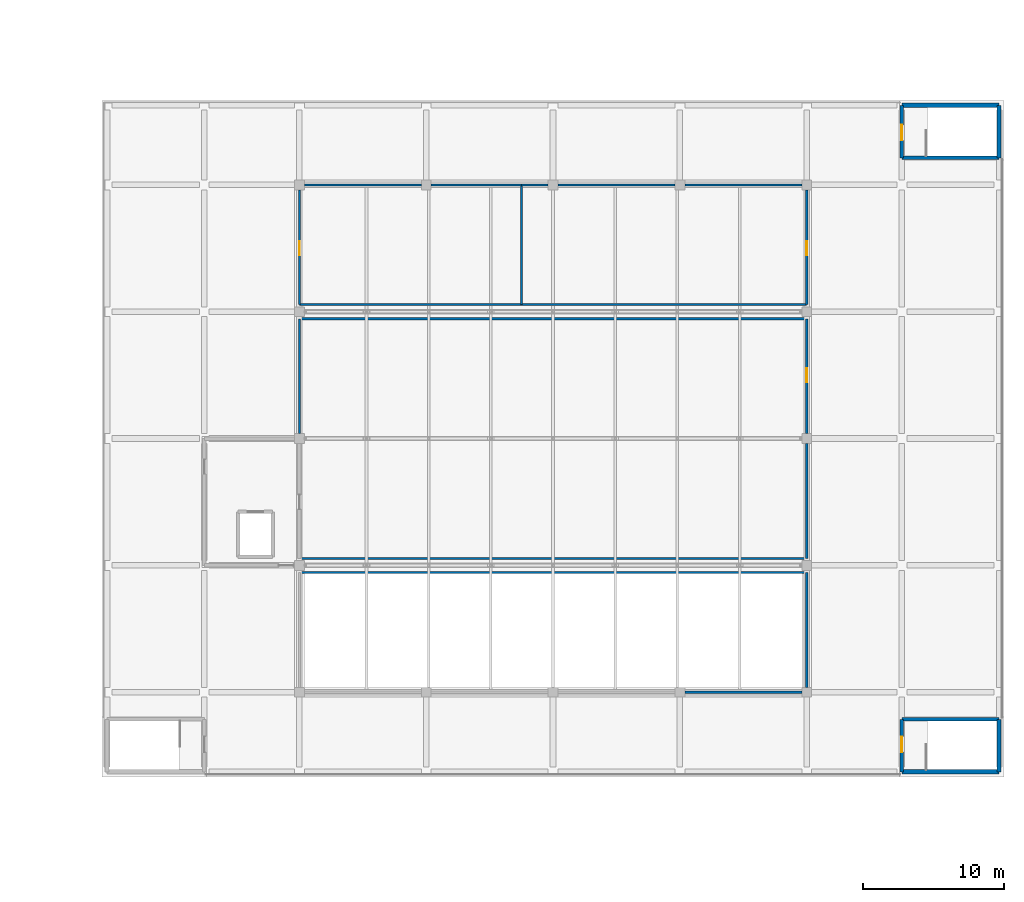
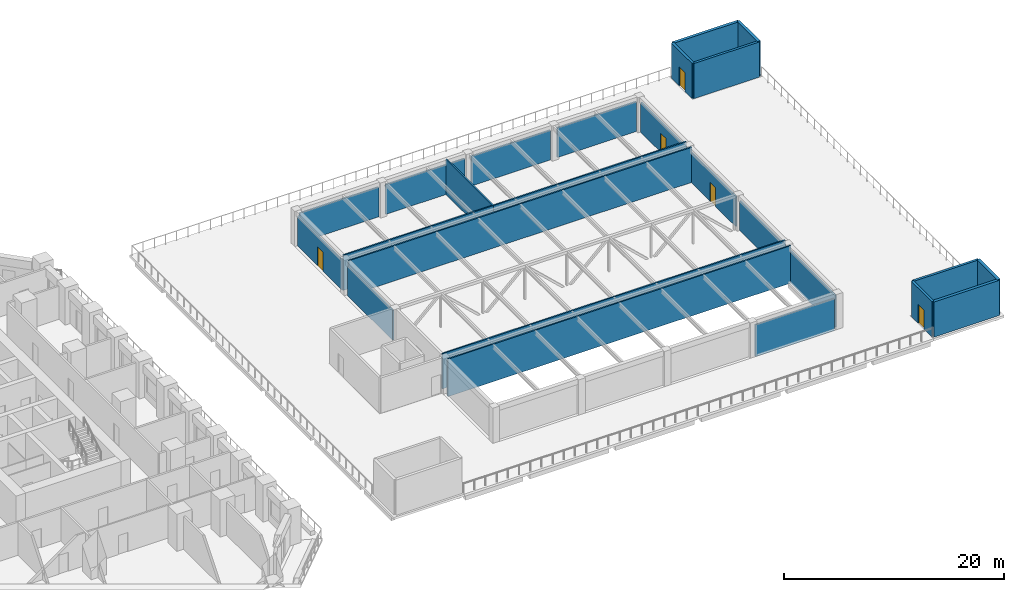
# One storey, part 25 of 30: 26 walls, 5 doors, 5 openings.
"""IFC4 building model written with IfcOpenShell, lengths in metres."""

import ifcopenshell
import ifcopenshell.guid

model = None  # the IFC model being written
_history = None  # IfcOwnerHistory: only IFC2X3 demands one
_inside = {}  # id of a spatial element -> (the spatial element, [elements in it])
_under = {}  # id of a project, library or spatial element -> (it, [spatial elements below it])
_declared = {}  # id of a project -> (the project, [libraries it declares])
_typed = {}  # id of a type object -> (the type object, [elements of that type])
_made_of = {}  # id of a material, layer set ... -> (it, [elements and type objects made of it])


def new_model(schema):
    """Start an empty IFC model of exactly this schema.

    Asked for "IFC4X3", IfcOpenShell would pick the latest addendum, in which some entities
    have other attributes; the version numbers below select the first issue.
    IFC2X3 requires an IfcOwnerHistory on every rooted entity: one is made here for all.
    """
    global model, _history
    if schema == "IFC4X3":
        model = ifcopenshell.file(schema_version=(4, 3, 0, 0))
    else:
        model = ifcopenshell.file(schema=schema)
    _inside.clear()
    _under.clear()
    _declared.clear()
    _typed.clear()
    _made_of.clear()
    _history = None
    if model.schema == "IFC2X3":
        org = make("IfcOrganization", Name="unknown")
        user = make(
            "IfcPersonAndOrganization",
            ThePerson=make("IfcPerson", FamilyName="unknown"),
            TheOrganization=org,
        )
        app = make(
            "IfcApplication",
            ApplicationDeveloper=org,
            Version="unknown",
            ApplicationFullName="unknown",
            ApplicationIdentifier="unknown",
        )
        _history = make(
            "IfcOwnerHistory",
            OwningUser=user,
            OwningApplication=app,
            ChangeAction="ADDED",
            CreationDate=0,
        )
    return model


def make(cls, **values):
    """One entity of the class cls with the attributes given. An attribute that is None is left unset."""
    return model.create_entity(
        cls, **{name: value for name, value in values.items() if value is not None}
    )


def rooted(cls, **values):
    """An entity with a GlobalId (a new one), such as an element, a storey or a relation."""
    return make(cls, GlobalId=ifcopenshell.guid.new(), OwnerHistory=_history, **values)


def si_unit(unit_type, name, prefix=None):
    """IfcSIUnit, for example si_unit("LENGTHUNIT", "METRE", prefix="MILLI")."""
    return make("IfcSIUnit", UnitType=unit_type, Prefix=prefix, Name=name)


def assignment(units):
    """IfcUnitAssignment: the units of a project."""
    return None if units is None else make("IfcUnitAssignment", Units=units)


def point(xyz):
    """IfcCartesianPoint."""
    return None if xyz is None else make("IfcCartesianPoint", Coordinates=xyz)


def direction(xyz):
    """IfcDirection."""
    return None if xyz is None else make("IfcDirection", DirectionRatios=xyz)


def frame(location, z_axis=None, x_axis=None):
    """IfcAxis2Placement3D, a coordinate frame: its origin and axes. An axis left out is left unset."""
    return make(
        "IfcAxis2Placement3D",
        Location=point(location),
        Axis=direction(z_axis),
        RefDirection=direction(x_axis),
    )


def frame_2d(location, x_axis=None):
    """IfcAxis2Placement2D, a coordinate frame in the plane: its origin and x axis."""
    return make(
        "IfcAxis2Placement2D", Location=point(location), RefDirection=direction(x_axis)
    )


def origin():
    """The frame at (0, 0, 0) with its axes left unset."""
    return frame((0.0, 0.0, 0.0))


def place(relative_to, where):
    """IfcLocalPlacement: puts the frame where relative to a parent placement (None: the world)."""
    return make(
        "IfcLocalPlacement", PlacementRelTo=relative_to, RelativePlacement=where
    )


def context(
    kind, dimensions, precision=None, world=None, true_north=None, identifier=None
):
    """IfcGeometricRepresentationContext, for example the 3D "Model" context."""
    return make(
        "IfcGeometricRepresentationContext",
        ContextIdentifier=identifier,
        ContextType=kind,
        CoordinateSpaceDimension=dimensions,
        Precision=precision,
        WorldCoordinateSystem=world,
        TrueNorth=true_north,
    )


def subcontext(parent, identifier, kind, view, scale=None):
    """IfcGeometricRepresentationSubContext, for example "Body" below "Model"."""
    return make(
        "IfcGeometricRepresentationSubContext",
        ContextIdentifier=identifier,
        ContextType=kind,
        ParentContext=parent,
        TargetScale=scale,
        TargetView=view,
    )


def project(units=None, contexts=None):
    """IfcProject with its units and contexts."""
    return rooted(
        "IfcProject",
        Name="project",
        RepresentationContexts=contexts,
        UnitsInContext=assignment(units),
    )


def spatial(cls, under=None, at=None, **own):
    """A site, building, storey or space (cls), placed at a placement, below another one or the project."""
    s = rooted(cls, ObjectPlacement=at, **own)
    if under is not None:
        _under.setdefault(under.id(), (under, []))[1].append(s)
    return s


def profile(cls, at=None, kind="AREA", **sizes):
    """A parametric profile (cls). Its sizes go by their IFC names, for example OverallWidth=200.0."""
    return make(cls, ProfileType=kind, Position=at, **sizes)


def rectangle(**sizes):
    """IfcRectangleProfileDef."""
    return profile("IfcRectangleProfileDef", **sizes)


def extrude(swept, where, along, depth):
    """IfcExtrudedAreaSolid: the profile swept, set in the frame where, extruded along a direction by depth."""
    return make(
        "IfcExtrudedAreaSolid",
        SweptArea=swept,
        Position=where,
        ExtrudedDirection=direction(along),
        Depth=depth,
    )


def shape(context_of_items, identifier, shape_type, items):
    """IfcShapeRepresentation: the items that make up one representation, for example the "Body"."""
    return make(
        "IfcShapeRepresentation",
        ContextOfItems=context_of_items,
        RepresentationIdentifier=identifier,
        RepresentationType=shape_type,
        Items=items,
    )


def material(Name=None, Category=None):
    """IfcMaterial."""
    return make("IfcMaterial", Name=Name, Category=Category)


def layer(
    of_material, thickness, ventilated=None, Name=None, Category=None, Priority=None
):
    """IfcMaterialLayer: one layer of a wall or slab, of a material (None: an air gap)."""
    return make(
        "IfcMaterialLayer",
        Material=of_material,
        LayerThickness=thickness,
        IsVentilated=ventilated,
        Name=Name,
        Category=Category,
        Priority=Priority,
    )


def layer_set(layers, Name=None):
    """IfcMaterialLayerSet."""
    return make("IfcMaterialLayerSet", MaterialLayers=layers, LayerSetName=Name)


def made_of(thing, what):
    """Note that an element or type object is made of a material, layer set ...; save() writes the relation."""
    if what is not None:
        _made_of.setdefault(what.id(), (what, []))[1].append(thing)
    return thing


def type_object(cls, material=None, **own):
    """A type object (cls), such as IfcWallType, which elements share."""
    return made_of(rooted(cls, **own), material)


def element(
    cls,
    number,
    at=None,
    inside=None,
    cuts=None,
    type_object=None,
    material=None,
    context=None,
    identifier="Body",
    shape_type=None,
    held_by="IfcProductDefinitionShape",
    body=None,
    shapes=None,
    **own,
):
    """One element of the class cls, such as IfcWall. Its Tag is "e" and its number.

    at: its placement. inside: the storey or other place that contains it. cuts: it is an
    opening in that element (IfcRelVoidsElement). A single representation is given by context,
    identifier, shape_type and body (its items); several are given by shapes. held_by: the class
    of the entity that holds the representations. save() writes the other relations.
    """
    e = rooted(cls, Tag="e%d" % number, ObjectPlacement=at, **own)
    if body is not None:
        shapes = [shape(context, identifier, shape_type, body)]
    if shapes is not None:
        e.Representation = make(held_by, Representations=shapes)
    if inside is not None:
        _inside.setdefault(inside.id(), (inside, []))[1].append(e)
    if cuts is not None:
        rooted(
            "IfcRelVoidsElement", RelatingBuildingElement=cuts, RelatedOpeningElement=e
        )
    if type_object is not None:
        _typed.setdefault(type_object.id(), (type_object, []))[1].append(e)
    return made_of(e, material)


def fill(opening, filler):
    """IfcRelFillsElement: the door or window that sits in an opening."""
    return rooted(
        "IfcRelFillsElement",
        RelatingOpeningElement=opening,
        RelatedBuildingElement=filler,
    )


def aggregate(whole, parts):
    """IfcRelAggregates: a whole, such as a stair, and the parts it consists of."""
    return rooted("IfcRelAggregates", RelatingObject=whole, RelatedObjects=parts)


def save(model, path):
    """Write the relations noted so far, then the file.

    IfcRelAggregates (storeys below a building ...), IfcRelContainedInSpatialStructure (elements
    in a storey), IfcRelDefinesByType, IfcRelAssociatesMaterial and IfcRelDeclares: one each for
    every whole, place, type object, material and project.
    """
    for whole, parts in _under.values():
        aggregate(whole, parts)
    for where, things in _inside.values():
        rooted(
            "IfcRelContainedInSpatialStructure",
            RelatedElements=things,
            RelatingStructure=where,
        )
    for kind, things in _typed.values():
        rooted("IfcRelDefinesByType", RelatedObjects=things, RelatingType=kind)
    for what, things in _made_of.values():
        rooted("IfcRelAssociatesMaterial", RelatedObjects=things, RelatingMaterial=what)
    for by, libraries in _declared.values():
        rooted("IfcRelDeclares", RelatingContext=by, RelatedDefinitions=libraries)
    model.write(path)


model = new_model("IFC4")

# Units and contexts
model_context = context("Model", 3, precision=1e-05, world=origin(), true_north=direction((0.0, 1.0)))
body_context = subcontext(model_context, "Body", "Model", "MODEL_VIEW")
ifc_project = project(units=[si_unit("LENGTHUNIT", "METRE"), si_unit("AREAUNIT", "SQUARE_METRE"), si_unit("VOLUMEUNIT", "CUBIC_METRE"), si_unit("PLANEANGLEUNIT", "RADIAN"), si_unit("MASSUNIT", "GRAM", prefix="KILO")], contexts=[model_context])

# Site, building, storey
site_placement = place(None, origin())
site = spatial("IfcSite", under=ifc_project, at=site_placement, CompositionType="ELEMENT")
building_placement = place(site_placement, origin())
building = spatial("IfcBuilding", under=site, at=building_placement, Name="Corbel Stack Research Tower", CompositionType="ELEMENT")
storey_placement = place(building_placement, frame((0.0, 0.0, 19.5)))
storey = spatial("IfcBuildingStorey", under=building, at=storey_placement, Name="L04", CompositionType="ELEMENT", Elevation=19.5)

# Walls
ifc_material_1 = material(Name="Concrete C40/50", Category="concrete")
ifc_layer_1 = layer(ifc_material_1, 0.25)
ifc_layer_set_1 = layer_set([ifc_layer_1], Name="Concrete C40/50")
wall_type_1 = type_object("IfcWallType", Name="HW2 core wall C40/50 250", PredefinedType="SHEAR", material=ifc_layer_set_1)
for number, where, z_axis, x_axis, name in (
    (1, (93.699951171875, -19.925048828125, 0.0), (0.0, 0.0, 1.0), (1.0, 0.0, 0.0), "Wall L04 h-19.93/93.7"),
    (2, (93.699951171875, 19.925048828125, 0.0), (0.0, 0.0, 1.0), (1.0, 0.0, 0.0), "Wall L04 h19.93/93.7"),
):
    element("IfcWall", number, at=place(storey_placement, frame(where, z_axis=z_axis, x_axis=x_axis)), inside=storey, type_object=wall_type_1, Name=name, PredefinedType="SHEAR", context=body_context, shape_type="SweptSolid", body=[
        extrude(rectangle(XDim=6.900146484375, YDim=0.25, at=frame_2d((3.4501953125, 0.0))), origin(), (0.0, 0.0, 1.0), 3.89990234375),
    ])

# Wall, opening, door
wall_1_placement = place(storey_placement, frame((93.699951171875, -23.64990234375, 0.0), z_axis=(0.0, 0.0, 1.0), x_axis=(0.0, 1.0, 0.0)))
wall_1 = element("IfcWall", 3, at=wall_1_placement, inside=storey, type_object=wall_type_1, Name="Wall L04 v93.70/-23.6", PredefinedType="SHEAR", context=body_context, shape_type="SweptSolid", body=[
    extrude(rectangle(XDim=3.724853515625, YDim=0.25, at=frame_2d((1.8623046875, 0.0))), origin(), (0.0, 0.0, 1.0), 3.89990234375),
])
opening_1_placement = place(wall_1_placement, frame((1.39990234375, 0.0, 0.0)))
opening_1 = element("IfcOpeningElement", 4, at=opening_1_placement, cuts=wall_1, Name="Opening H4-09", PredefinedType="OPENING", context=body_context, shape_type="SweptSolid", body=[
    extrude(rectangle(XDim=1.10009765625, YDim=2.10009765625, at=frame_2d((0.550048828125, 1.050048828125))), frame((0.0, 0.135009765625, 0.0), z_axis=(0.0, -1.0, 0.0), x_axis=(1.0, 0.0, 0.0)), (0.0, 0.0, 1.0), 0.27001953125),
])
ifc_material_2 = material(Name="Steel", Category="steel")
door_type_1 = type_object("IfcDoorType", Name="HD4 fire door 1100 x 2100", OperationType="NOTDEFINED", PredefinedType="DOOR", material=ifc_material_2)
door_1_placement = place(opening_1_placement, origin())
door_1 = element("IfcDoor", 5, at=door_1_placement, inside=storey, type_object=door_type_1, Name="Door H4-09", OperationType="SINGLE_SWING_RIGHT", OverallHeight=2.10009765625, OverallWidth=1.10009765625, PredefinedType="DOOR", context=body_context, shape_type="SweptSolid", body=[
    extrude(rectangle(XDim=1.10009765625, YDim=2.10009765625, at=frame_2d((0.550048828125, 1.050048828125))), frame((0.0, 0.02490234375, 0.0), z_axis=(0.0, -1.0, 0.0), x_axis=(1.0, 0.0, 0.0)), (0.0, 0.0, 1.0), 0.050048828125),
])
fill(opening_1, door_1)

wall_2_placement = place(storey_placement, frame((93.699951171875, 19.925048828125, 0.0), z_axis=(0.0, 0.0, 1.0), x_axis=(0.0, 1.0, 0.0)))
wall_2 = element("IfcWall", 6, at=wall_2_placement, inside=storey, type_object=wall_type_1, Name="Wall L04 v93.70/19.9", PredefinedType="SHEAR", context=body_context, shape_type="SweptSolid", body=[
    extrude(rectangle(XDim=3.724853515625, YDim=0.25, at=frame_2d((1.8623046875, 0.0))), origin(), (0.0, 0.0, 1.0), 3.89990234375),
])
opening_2_placement = place(wall_2_placement, frame((1.22509765625, 0.0, 0.0)))
opening_2 = element("IfcOpeningElement", 7, at=opening_2_placement, cuts=wall_2, Name="Opening H4-10", PredefinedType="OPENING", context=body_context, shape_type="SweptSolid", body=[
    extrude(rectangle(XDim=1.10009765625, YDim=2.10009765625, at=frame_2d((0.550048828125, 1.050048828125))), frame((0.0, 0.135009765625, 0.0), z_axis=(0.0, -1.0, 0.0), x_axis=(1.0, 0.0, 0.0)), (0.0, 0.0, 1.0), 0.27001953125),
])
door_2_placement = place(opening_2_placement, origin())
door_2 = element("IfcDoor", 8, at=door_2_placement, inside=storey, type_object=door_type_1, Name="Door H4-10", OperationType="SINGLE_SWING_LEFT", OverallHeight=2.10009765625, OverallWidth=1.10009765625, PredefinedType="DOOR", context=body_context, shape_type="SweptSolid", body=[
    extrude(rectangle(XDim=1.10009765625, YDim=2.10009765625, at=frame_2d((0.550048828125, 1.050048828125))), frame((0.0, 0.02490234375, 0.0), z_axis=(0.0, -1.0, 0.0), x_axis=(1.0, 0.0, 0.0)), (0.0, 0.0, 1.0), 0.050048828125),
])
fill(opening_2, door_2)

# Walls
ifc_material_3 = material(Name="Concrete masonry unit", Category="masonry")
ifc_layer_2 = layer(ifc_material_3, 0.14990234375)
ifc_layer_set_2 = layer_set([ifc_layer_2], Name="Concrete masonry unit")
wall_type_2 = type_object("IfcWallType", Name="HW3 partition 150", PredefinedType="PARTITIONING", material=ifc_layer_set_2)
wall_3_placement = place(storey_placement, frame((78.300048828125, -18.0, -0.25), z_axis=(0.0, 0.0, 1.0), x_axis=(1.0, 0.0, 0.0)))
element("IfcWall", 9, at=wall_3_placement, inside=storey, type_object=wall_type_2, Name="Wall L04 h-18.00/78.3", PredefinedType="PARTITIONING", context=body_context, shape_type="SweptSolid", body=[
    extrude(rectangle(XDim=8.300048828125, YDim=0.14990234375, at=frame_2d((4.14990234375, 0.0))), origin(), (0.0, 0.0, 1.0), 3.550048828125),
])
wall_4_placement = place(storey_placement, frame((50.949951171875, -9.5, -0.25), z_axis=(0.0, 0.0, 1.0), x_axis=(1.0, 0.0, 0.0)))
element("IfcWall", 10, at=wall_4_placement, inside=storey, type_object=wall_type_2, Name="Wall L04 h-9.50/51.0", PredefinedType="PARTITIONING", context=body_context, shape_type="SweptSolid", body=[
    extrude(rectangle(XDim=36.0, YDim=0.14990234375, at=frame_2d((18.0, 0.0))), origin(), (0.0, 0.0, 1.0), 4.14990234375),
])
for number, where, z_axis, x_axis, name in (
    (11, (50.949951171875, -8.5, 0.0), (0.0, 0.0, 1.0), (1.0, 0.0, 0.0), "Wall L04 h-8.50/51.0"),
    (12, (50.949951171875, 8.5, 0.0), (0.0, 0.0, 1.0), (1.0, 0.0, 0.0), "Wall L04 h8.50/51.0"),
):
    element("IfcWall", number, at=place(storey_placement, frame(where, z_axis=z_axis, x_axis=x_axis)), inside=storey, type_object=wall_type_2, Name=name, PredefinedType="PARTITIONING", context=body_context, shape_type="SweptSolid", body=[
        extrude(rectangle(XDim=36.0, YDim=0.14990234375, at=frame_2d((18.0, 0.0))), origin(), (0.0, 0.0, 1.0), 3.89990234375),
    ])
wall_5_placement = place(storey_placement, frame((50.949951171875, 9.5, 0.0), z_axis=(0.0, 0.0, 1.0), x_axis=(1.0, 0.0, 0.0)))
element("IfcWall", 13, at=wall_5_placement, inside=storey, type_object=wall_type_2, Name="Wall L04 h9.50/51.0", PredefinedType="PARTITIONING", context=body_context, shape_type="SweptSolid", body=[
    extrude(rectangle(XDim=15.75, YDim=0.14990234375, at=frame_2d((7.875, 0.0))), origin(), (0.0, 0.0, 1.0), 3.89990234375),
])
wall_6_placement = place(storey_placement, frame((66.699951171875, 9.5, 0.0), z_axis=(0.0, 0.0, 1.0), x_axis=(1.0, 0.0, 0.0)))
element("IfcWall", 14, at=wall_6_placement, inside=storey, type_object=wall_type_2, Name="Wall L04 h9.50/66.7", PredefinedType="PARTITIONING", context=body_context, shape_type="SweptSolid", body=[
    extrude(rectangle(XDim=20.25, YDim=0.14990234375, at=frame_2d((10.125, 0.0))), origin(), (0.0, 0.0, 1.0), 3.89990234375),
])
wall_7_placement = place(storey_placement, frame((51.300048828125, 18.0, 0.0), z_axis=(0.0, 0.0, 1.0), x_axis=(1.0, 0.0, 0.0)))
element("IfcWall", 15, at=wall_7_placement, inside=storey, type_object=wall_type_2, Name="Wall L04 h18.00/51.3", PredefinedType="PARTITIONING", context=body_context, shape_type="SweptSolid", body=[
    extrude(rectangle(XDim=8.300048828125, YDim=0.14990234375, at=frame_2d((4.14990234375, 0.0))), origin(), (0.0, 0.0, 1.0), 3.300048828125),
])
wall_8_placement = place(storey_placement, frame((60.300048828125, 18.0, 0.0), z_axis=(0.0, 0.0, 1.0), x_axis=(1.0, 0.0, 0.0)))
element("IfcWall", 16, at=wall_8_placement, inside=storey, type_object=wall_type_2, Name="Wall L04 h18.00/60.3", PredefinedType="PARTITIONING", context=body_context, shape_type="SweptSolid", body=[
    extrude(rectangle(XDim=6.39990234375, YDim=0.14990234375, at=frame_2d((3.199951171875, 0.0))), origin(), (0.0, 0.0, 1.0), 3.300048828125),
])
wall_9_placement = place(storey_placement, frame((66.699951171875, 18.0, 0.0), z_axis=(0.0, 0.0, 1.0), x_axis=(1.0, 0.0, 0.0)))
element("IfcWall", 17, at=wall_9_placement, inside=storey, type_object=wall_type_2, Name="Wall L04 h18.00/66.7", PredefinedType="PARTITIONING", context=body_context, shape_type="SweptSolid", body=[
    extrude(rectangle(XDim=1.900146484375, YDim=0.14990234375, at=frame_2d((0.9501953125, 0.0))), origin(), (0.0, 0.0, 1.0), 3.300048828125),
])
for number, where, z_axis, x_axis, name in (
    (18, (69.300048828125, 18.0, 0.0), (0.0, 0.0, 1.0), (1.0, 0.0, 0.0), "Wall L04 h18.00/69.3"),
    (19, (78.300048828125, 18.0, 0.0), (0.0, 0.0, 1.0), (1.0, 0.0, 0.0), "Wall L04 h18.00/78.3"),
):
    element("IfcWall", number, at=place(storey_placement, frame(where, z_axis=z_axis, x_axis=x_axis)), inside=storey, type_object=wall_type_2, Name=name, PredefinedType="PARTITIONING", context=body_context, shape_type="SweptSolid", body=[
        extrude(rectangle(XDim=8.300048828125, YDim=0.14990234375, at=frame_2d((4.14990234375, 0.0))), origin(), (0.0, 0.0, 1.0), 3.300048828125),
    ])
wall_10_placement = place(storey_placement, frame((50.949951171875, 0.35009765625, 0.0), z_axis=(0.0, 0.0, 1.0), x_axis=(0.0, 1.0, 0.0)))
element("IfcWall", 20, at=wall_10_placement, inside=storey, type_object=wall_type_2, Name="Wall L04 v50.95/0.3", PredefinedType="PARTITIONING", context=body_context, shape_type="SweptSolid", body=[
    extrude(rectangle(XDim=8.14990234375, YDim=0.14990234375, at=frame_2d((4.074951171875, 0.0))), origin(), (0.0, 0.0, 1.0), 3.300048828125),
])

# Wall, opening, door
wall_11_placement = place(storey_placement, frame((50.949951171875, 9.5, 0.0), z_axis=(0.0, 0.0, 1.0), x_axis=(0.0, 1.0, 0.0)))
wall_11 = element("IfcWall", 21, at=wall_11_placement, inside=storey, type_object=wall_type_2, Name="Wall L04 v50.95/9.5", PredefinedType="PARTITIONING", context=body_context, shape_type="SweptSolid", body=[
    extrude(rectangle(XDim=8.14990234375, YDim=0.14990234375, at=frame_2d((4.074951171875, 0.0))), origin(), (0.0, 0.0, 1.0), 3.300048828125),
])
opening_3_placement = place(wall_11_placement, frame((3.5, 0.0, 0.0)))
opening_3 = element("IfcOpeningElement", 22, at=opening_3_placement, cuts=wall_11, Name="Opening H4-06", PredefinedType="OPENING", context=body_context, shape_type="SweptSolid", body=[
    extrude(rectangle(XDim=1.0, YDim=2.10009765625, at=frame_2d((0.5, 1.050048828125))), frame((0.0, 0.0849609375, 0.0), z_axis=(0.0, -1.0, 0.0), x_axis=(1.0, 0.0, 0.0)), (0.0, 0.0, 1.0), 0.169921875),
])
ifc_material_4 = material(Name="Timber", Category="wood")
door_type_2 = type_object("IfcDoorType", Name="HD1 single door 1000 x 2100", OperationType="NOTDEFINED", PredefinedType="DOOR", material=ifc_material_4)
door_3_placement = place(opening_3_placement, origin())
door_3 = element("IfcDoor", 23, at=door_3_placement, inside=storey, type_object=door_type_2, Name="Door H4-06", OperationType="SINGLE_SWING_LEFT", OverallHeight=2.10009765625, OverallWidth=1.0, PredefinedType="DOOR", context=body_context, shape_type="SweptSolid", body=[
    extrude(rectangle(XDim=1.0, YDim=2.10009765625, at=frame_2d((0.5, 1.050048828125))), frame((0.0, 0.02490234375, 0.0), z_axis=(0.0, -1.0, 0.0), x_axis=(1.0, 0.0, 0.0)), (0.0, 0.0, 1.0), 0.050048828125),
])
fill(opening_3, door_3)

# Walls
wall_12_placement = place(storey_placement, frame((66.699951171875, 9.5, 0.0), z_axis=(0.0, 0.0, 1.0), x_axis=(0.0, 1.0, 0.0)))
element("IfcWall", 24, at=wall_12_placement, inside=storey, type_object=wall_type_2, Name="Wall L04 v66.70/9.5", PredefinedType="PARTITIONING", context=body_context, shape_type="SweptSolid", body=[
    extrude(rectangle(XDim=8.5, YDim=0.14990234375, at=frame_2d((4.25, 0.0))), origin(), (0.0, 0.0, 1.0), 3.89990234375),
])
wall_13_placement = place(storey_placement, frame((86.949951171875, -17.64990234375, -0.25), z_axis=(0.0, 0.0, 1.0), x_axis=(0.0, 1.0, 0.0)))
element("IfcWall", 25, at=wall_13_placement, inside=storey, type_object=wall_type_2, Name="Wall L04 v86.95/-17.6", PredefinedType="PARTITIONING", context=body_context, shape_type="SweptSolid", body=[
    extrude(rectangle(XDim=8.14990234375, YDim=0.14990234375, at=frame_2d((4.074951171875, 0.0))), origin(), (0.0, 0.0, 1.0), 3.550048828125),
])
wall_14_placement = place(storey_placement, frame((86.949951171875, -8.5, 0.0), z_axis=(0.0, 0.0, 1.0), x_axis=(0.0, 1.0, 0.0)))
element("IfcWall", 26, at=wall_14_placement, inside=storey, type_object=wall_type_2, Name="Wall L04 v86.95/-8.5", PredefinedType="PARTITIONING", context=body_context, shape_type="SweptSolid", body=[
    extrude(rectangle(XDim=8.14990234375, YDim=0.14990234375, at=frame_2d((4.074951171875, 0.0))), origin(), (0.0, 0.0, 1.0), 3.300048828125),
])

# Wall, opening, door
wall_15_placement = place(storey_placement, frame((86.949951171875, 8.5, 0.0), z_axis=(0.0, 0.0, 1.0), x_axis=(0.0, -1.0, 0.0)))
wall_15 = element("IfcWall", 27, at=wall_15_placement, inside=storey, type_object=wall_type_2, Name="Wall L04 v86.95/0.3", PredefinedType="PARTITIONING", context=body_context, shape_type="SweptSolid", body=[
    extrude(rectangle(XDim=8.14990234375, YDim=0.14990234375, at=frame_2d((4.074951171875, 0.0))), origin(), (0.0, 0.0, 1.0), 3.300048828125),
])
opening_4_placement = place(wall_15_placement, frame((3.5, 0.0, 0.0)))
opening_4 = element("IfcOpeningElement", 28, at=opening_4_placement, cuts=wall_15, Name="Opening H4-07", PredefinedType="OPENING", context=body_context, shape_type="SweptSolid", body=[
    extrude(rectangle(XDim=1.0, YDim=2.10009765625, at=frame_2d((0.5, 1.050048828125))), frame((0.0, 0.0849609375, 0.0), z_axis=(0.0, -1.0, 0.0), x_axis=(1.0, 0.0, 0.0)), (0.0, 0.0, 1.0), 0.169921875),
])
door_4_placement = place(opening_4_placement, origin())
door_4 = element("IfcDoor", 29, at=door_4_placement, inside=storey, type_object=door_type_2, Name="Door H4-07", OperationType="SINGLE_SWING_RIGHT", OverallHeight=2.10009765625, OverallWidth=1.0, PredefinedType="DOOR", context=body_context, shape_type="SweptSolid", body=[
    extrude(rectangle(XDim=1.0, YDim=2.10009765625, at=frame_2d((0.5, 1.050048828125))), frame((0.0, 0.02490234375, 0.0), z_axis=(0.0, -1.0, 0.0), x_axis=(1.0, 0.0, 0.0)), (0.0, 0.0, 1.0), 0.050048828125),
])
fill(opening_4, door_4)

wall_16_placement = place(storey_placement, frame((86.949951171875, 17.64990234375, 0.0), z_axis=(0.0, 0.0, 1.0), x_axis=(0.0, -1.0, 0.0)))
wall_16 = element("IfcWall", 30, at=wall_16_placement, inside=storey, type_object=wall_type_2, Name="Wall L04 v86.95/9.5", PredefinedType="PARTITIONING", context=body_context, shape_type="SweptSolid", body=[
    extrude(rectangle(XDim=8.14990234375, YDim=0.14990234375, at=frame_2d((4.074951171875, 0.0))), origin(), (0.0, 0.0, 1.0), 3.300048828125),
])
opening_5_placement = place(wall_16_placement, frame((3.64990234375, 0.0, 0.0)))
opening_5 = element("IfcOpeningElement", 31, at=opening_5_placement, cuts=wall_16, Name="Opening H4-08", PredefinedType="OPENING", context=body_context, shape_type="SweptSolid", body=[
    extrude(rectangle(XDim=1.0, YDim=2.10009765625, at=frame_2d((0.5, 1.050048828125))), frame((0.0, 0.0849609375, 0.0), z_axis=(0.0, -1.0, 0.0), x_axis=(1.0, 0.0, 0.0)), (0.0, 0.0, 1.0), 0.169921875),
])
door_5_placement = place(opening_5_placement, origin())
door_5 = element("IfcDoor", 32, at=door_5_placement, inside=storey, type_object=door_type_2, Name="Door H4-08", OperationType="SINGLE_SWING_LEFT", OverallHeight=2.10009765625, OverallWidth=1.0, PredefinedType="DOOR", context=body_context, shape_type="SweptSolid", body=[
    extrude(rectangle(XDim=1.0, YDim=2.10009765625, at=frame_2d((0.5, 1.050048828125))), frame((0.0, 0.02490234375, 0.0), z_axis=(0.0, -1.0, 0.0), x_axis=(1.0, 0.0, 0.0)), (0.0, 0.0, 1.0), 0.050048828125),
])
fill(opening_5, door_5)

# Walls
ifc_material_5 = material(Name="Concrete C40/50", Category="concrete")
ifc_layer_3 = layer(ifc_material_5, 0.300048828125)
ifc_layer_set_3 = layer_set([ifc_layer_3], Name="Concrete C40/50")
wall_type_3 = type_object("IfcWallType", Name="HW6 exterior wall C40/50 300", PredefinedType="SHEAR", material=ifc_layer_set_3)
for number, where, z_axis, x_axis, name in (
    (33, (93.699951171875, -23.64990234375, 0.0), (0.0, 0.0, 1.0), (1.0, 0.0, 0.0), "Exterior wall L04 h-23.65/93.7"),
    (34, (93.699951171875, 23.64990234375, 0.0), (0.0, 0.0, 1.0), (1.0, 0.0, 0.0), "Exterior wall L04 h23.65/93.7"),
):
    element("IfcWall", number, at=place(storey_placement, frame(where, z_axis=z_axis, x_axis=x_axis)), inside=storey, type_object=wall_type_3, Name=name, PredefinedType="SHEAR", context=body_context, shape_type="SweptSolid", body=[
        extrude(rectangle(XDim=6.900146484375, YDim=0.300048828125, at=frame_2d((3.4501953125, 0.0))), origin(), (0.0, 0.0, 1.0), 3.89990234375),
    ])
for number, where, z_axis, x_axis, name in (
    (35, (100.60009765625, -23.64990234375, 0.0), (0.0, 0.0, 1.0), (0.0, 1.0, 0.0), "Exterior wall L04 v100.60/-23.6"),
    (36, (100.60009765625, 19.925048828125, 0.0), (0.0, 0.0, 1.0), (0.0, 1.0, 0.0), "Exterior wall L04 v100.60/19.9"),
):
    element("IfcWall", number, at=place(storey_placement, frame(where, z_axis=z_axis, x_axis=x_axis)), inside=storey, type_object=wall_type_3, Name=name, PredefinedType="SHEAR", context=body_context, shape_type="SweptSolid", body=[
        extrude(rectangle(XDim=3.724853515625, YDim=0.300048828125, at=frame_2d((1.8623046875, 0.0))), origin(), (0.0, 0.0, 1.0), 3.89990234375),
    ])

save(model, "model.ifc")
